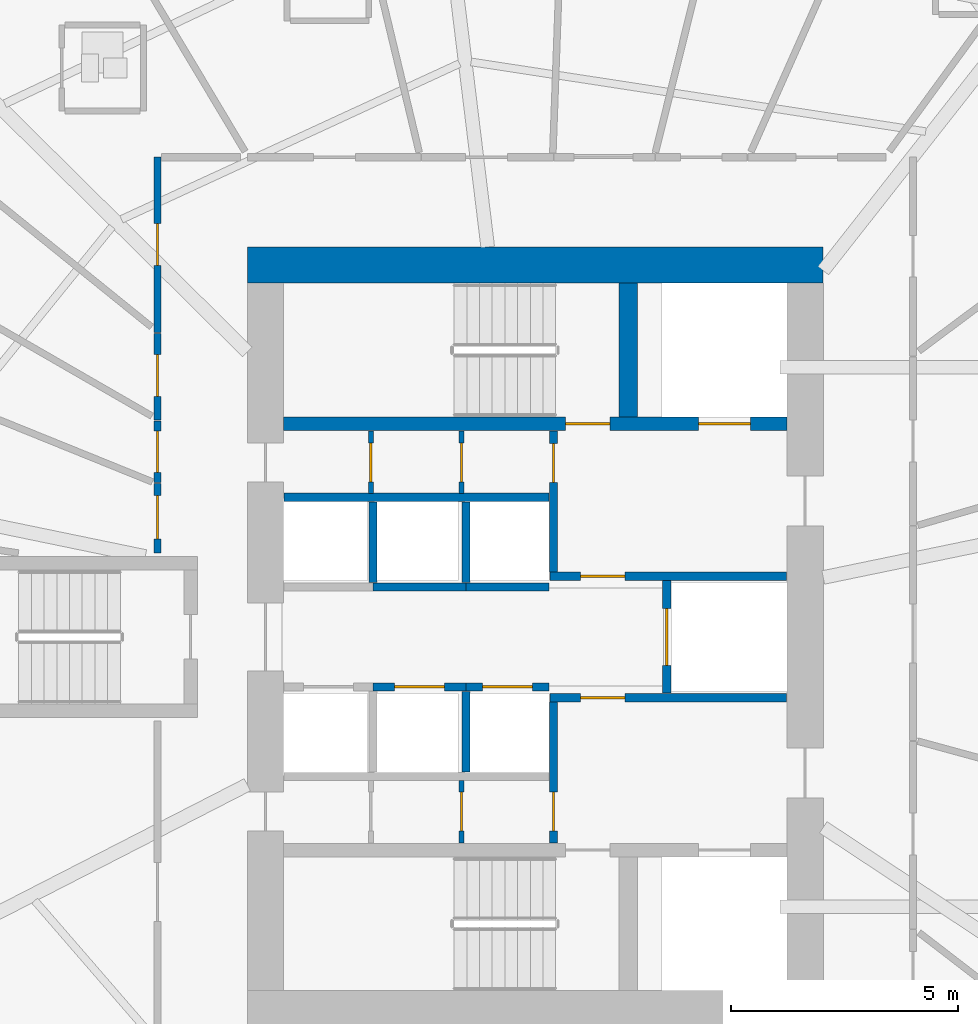
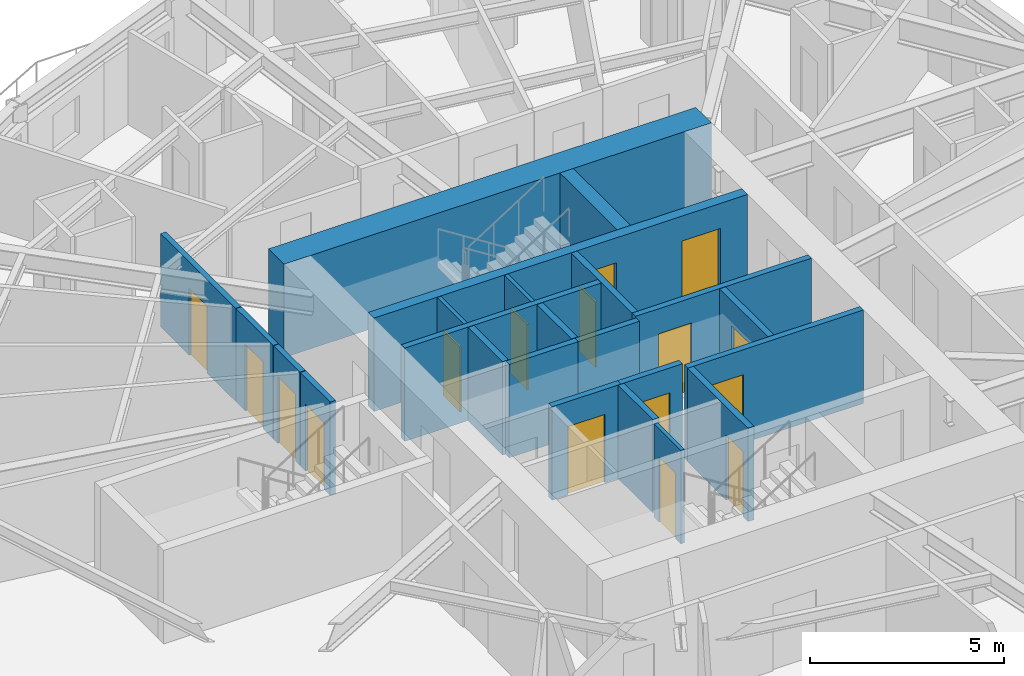
# One storey, part 6 of 16: 23 walls, 16 doors, 16 openings.
"""IFC4 building model written with IfcOpenShell, lengths in metres."""

from ifc_helpers import new_model, si_unit, direction, frame, frame_2d, origin, place, context, subcontext, project, spatial, rectangle, extrude, source, transform, mapped, material, layer, layer_set, type_object, element, fill, save


model = new_model("IFC4")

# Units and contexts
model_context = context("Model", 3, precision=1e-05, world=origin(), true_north=direction((0.0, 1.0)))
body_context = subcontext(model_context, "Body", "Model", "MODEL_VIEW")
ifc_project = project(units=[si_unit("LENGTHUNIT", "METRE"), si_unit("AREAUNIT", "SQUARE_METRE"), si_unit("VOLUMEUNIT", "CUBIC_METRE"), si_unit("PLANEANGLEUNIT", "RADIAN"), si_unit("MASSUNIT", "GRAM", prefix="KILO")], contexts=[model_context])

# Site, building, storey
site_placement = place(None, origin())
site = spatial("IfcSite", under=ifc_project, at=site_placement, CompositionType="ELEMENT")
building_placement = place(site_placement, origin())
building = spatial("IfcBuilding", under=site, at=building_placement, Name="Qafzar Sky-Pleat Residences", CompositionType="ELEMENT")
storey_placement = place(building_placement, frame((0.0, 0.0, 30.199951171875)))
storey = spatial("IfcBuildingStorey", under=building, at=storey_placement, Name="L08", CompositionType="ELEMENT", Elevation=30.199951171875)

# Wall, opening, door
ifc_material_1 = material(Name="Acoustic gypsum plasterboard partition", Category="gypsum")
ifc_layer_1 = layer(ifc_material_1, 0.159912109375)
ifc_layer_set_1 = layer_set([ifc_layer_1], Name="Acoustic gypsum plasterboard partition")
wall_type_1 = type_object("IfcWallType", Name="PART-COR-160", PredefinedType="PARTITIONING", material=ifc_layer_set_1)
wall_1_placement = place(storey_placement, frame((22.02001953125, 32.7099609375, 0.0), z_axis=(0.0, 0.0, 1.0), x_axis=(0.0, 1.0, 0.0)))
wall_1 = element("IfcWall", 1, at=wall_1_placement, inside=storey, type_object=wall_type_1, Name="L08 Partition Wall PART-L08-PW-007", PredefinedType="PARTITIONING", context=body_context, shape_type="SweptSolid", body=[
    extrude(rectangle(XDim=3.8701171875, YDim=0.159912109375, at=frame_2d((1.93505859375, 0.0))), origin(), (0.0, 0.0, 1.0), 2.93505859375),
])
opening_1_placement = place(wall_1_placement, frame((1.484619140625, 0.0, 0.0)))
opening_1 = element("IfcOpeningElement", 2, at=opening_1_placement, cuts=wall_1, Name="Opening ID-04", PredefinedType="OPENING", context=body_context, shape_type="SweptSolid", body=[
    extrude(rectangle(XDim=0.919921875, YDim=2.10009765625, at=frame_2d((0.4599609375, 1.050048828125))), frame((0.0, 0.08984375, 0.0), z_axis=(0.0, -1.0, 0.0), x_axis=(1.0, 0.0, 0.0)), (0.0, 0.0, 1.0), 0.179931640625),
])
ifc_material_2 = material(Name="Timber-faced fire door", Category="wood")
door_type_1 = type_object("IfcDoorType", Name="DR-BED-920", OperationType="NOTDEFINED", PredefinedType="DOOR", material=ifc_material_2)
shared_shape_1 = source(origin(), body_context, "Body", "SweptSolid", [
    extrude(rectangle(XDim=0.919921875, YDim=2.10009765625, at=frame_2d((0.4599609375, 1.050048828125))), frame((0.0, 0.02490234375, 0.0), z_axis=(0.0, -1.0, 0.0), x_axis=(1.0, 0.0, 0.0)), (0.0, 0.0, 1.0), 0.050048828125),
])
door_1_placement = place(opening_1_placement, origin())
door_1 = element("IfcDoor", 3, at=door_1_placement, inside=storey, type_object=door_type_1, Name="L08 Co-Living Bedroom 3 Door", OperationType="SINGLE_SWING_RIGHT", OverallHeight=2.10009765625, OverallWidth=0.919921875, PredefinedType="DOOR", context=body_context, shape_type="MappedRepresentation", body=[
    mapped(shared_shape_1, transform((0.0, 0.0, 0.0), x_axis=(1.0, 0.0, 0.0), y_axis=(0.0, 1.0, 0.0), z_axis=(0.0, 0.0, 1.0), scale=1.0)),
])
fill(opening_1, door_1)

wall_2_placement = place(storey_placement, frame((22.02001953125, 30.781982421875, 0.0), z_axis=(0.0, 0.0, 1.0), x_axis=(0.0, 1.0, 0.0)))
wall_2 = element("IfcWall", 4, at=wall_2_placement, inside=storey, type_object=wall_type_1, Name="L08 Partition Wall PART-L08-PW-019", PredefinedType="PARTITIONING", context=body_context, shape_type="SweptSolid", body=[
    extrude(rectangle(XDim=1.9130859375, YDim=0.159912109375, at=frame_2d((0.95654296875, 0.0))), origin(), (0.0, 0.0, 1.0), 2.93505859375),
])
opening_2_placement = place(wall_2_placement, frame((0.52197265625, 0.0, 0.0)))
opening_2 = element("IfcOpeningElement", 5, at=opening_2_placement, cuts=wall_2, Name="Opening ID-04", PredefinedType="OPENING", context=body_context, shape_type="SweptSolid", body=[
    extrude(rectangle(XDim=0.919921875, YDim=2.10009765625, at=frame_2d((0.4599609375, 1.050048828125))), frame((0.0, 0.08984375, 0.0), z_axis=(0.0, -1.0, 0.0), x_axis=(1.0, 0.0, 0.0)), (0.0, 0.0, 1.0), 0.179931640625),
])
door_2_placement = place(opening_2_placement, origin())
door_2 = element("IfcDoor", 6, at=door_2_placement, inside=storey, type_object=door_type_1, Name="L08 Co-Living Bedroom 5 Door", OperationType="SINGLE_SWING_LEFT", OverallHeight=2.10009765625, OverallWidth=0.919921875, PredefinedType="DOOR", context=body_context, shape_type="MappedRepresentation", body=[
    mapped(shared_shape_1, transform((0.0, 0.0, 0.0), x_axis=(1.0, 0.0, 0.0), y_axis=(0.0, 1.0, 0.0), z_axis=(0.0, 0.0, 1.0), scale=1.0)),
])
fill(opening_2, door_2)

wall_3_placement = place(storey_placement, frame((22.02001953125, 27.85009765625, 0.0), z_axis=(0.0, 0.0, 1.0), x_axis=(0.0, 1.0, 0.0)))
wall_3 = element("IfcWall", 7, at=wall_3_placement, inside=storey, type_object=wall_type_1, Name="L08 Partition Wall PART-L08-PW-031", PredefinedType="PARTITIONING", context=body_context, shape_type="SweptSolid", body=[
    extrude(rectangle(XDim=1.538818359375, YDim=0.159912109375, at=frame_2d((0.76953125, 0.0))), origin(), (0.0, 0.0, 1.0), 2.93505859375),
])
opening_3_placement = place(wall_3_placement, frame((0.31103515625, 0.0, 0.0)))
opening_3 = element("IfcOpeningElement", 8, at=opening_3_placement, cuts=wall_3, Name="Opening ID-06", PredefinedType="OPENING", context=body_context, shape_type="SweptSolid", body=[
    extrude(rectangle(XDim=0.9599609375, YDim=2.10009765625, at=frame_2d((0.47998046875, 1.050048828125))), frame((0.0, 0.08984375, 0.0), z_axis=(0.0, -1.0, 0.0), x_axis=(1.0, 0.0, 0.0)), (0.0, 0.0, 1.0), 0.179931640625),
])
door_type_2 = type_object("IfcDoorType", Name="DR-STD-960", OperationType="NOTDEFINED", PredefinedType="DOOR", material=ifc_material_2)
shared_shape_2 = source(origin(), body_context, "Body", "SweptSolid", [
    extrude(rectangle(XDim=0.9599609375, YDim=2.10009765625, at=frame_2d((0.47998046875, 1.050048828125))), frame((0.0, 0.02490234375, 0.0), z_axis=(0.0, -1.0, 0.0), x_axis=(1.0, 0.0, 0.0)), (0.0, 0.0, 1.0), 0.050048828125),
])
door_3_placement = place(opening_3_placement, origin())
door_3 = element("IfcDoor", 9, at=door_3_placement, inside=storey, type_object=door_type_2, Name="L08 Graduate Lecture Room Door", OperationType="SINGLE_SWING_LEFT", OverallHeight=2.10009765625, OverallWidth=0.9599609375, PredefinedType="DOOR", context=body_context, shape_type="MappedRepresentation", body=[
    mapped(shared_shape_2, transform((0.0, 0.0, 0.0), x_axis=(1.0, 0.0, 0.0), y_axis=(0.0, 1.0, 0.0), z_axis=(0.0, 0.0, 1.0), scale=1.0)),
])
fill(opening_3, door_3)

wall_4_placement = place(storey_placement, frame((22.02001953125, 29.404052734375, 0.0), z_axis=(0.0, 0.0, 1.0), x_axis=(0.0, 1.0, 0.0)))
wall_4 = element("IfcWall", 10, at=wall_4_placement, inside=storey, type_object=wall_type_1, Name="L08 Partition Wall PART-L08-PW-032", PredefinedType="PARTITIONING", context=body_context, shape_type="SweptSolid", body=[
    extrude(rectangle(XDim=1.363037109375, YDim=0.159912109375, at=frame_2d((0.681640625, 0.0))), origin(), (0.0, 0.0, 1.0), 2.93505859375),
])
opening_4_placement = place(wall_4_placement, frame((0.221923828125, 0.0, 0.0)))
opening_4 = element("IfcOpeningElement", 11, at=opening_4_placement, cuts=wall_4, Name="Opening ID-04", PredefinedType="OPENING", context=body_context, shape_type="SweptSolid", body=[
    extrude(rectangle(XDim=0.919921875, YDim=2.10009765625, at=frame_2d((0.4599609375, 1.050048828125))), frame((0.0, 0.08984375, 0.0), z_axis=(0.0, -1.0, 0.0), x_axis=(1.0, 0.0, 0.0)), (0.0, 0.0, 1.0), 0.179931640625),
])
door_4_placement = place(opening_4_placement, origin())
door_4 = element("IfcDoor", 12, at=door_4_placement, inside=storey, type_object=door_type_1, Name="L08 Co-Living Bedroom 4 Door", OperationType="SINGLE_SWING_RIGHT", OverallHeight=2.10009765625, OverallWidth=0.919921875, PredefinedType="DOOR", context=body_context, shape_type="MappedRepresentation", body=[
    mapped(shared_shape_1, transform((0.0, 0.0, 0.0), x_axis=(1.0, 0.0, 0.0), y_axis=(0.0, 1.0, 0.0), z_axis=(0.0, 0.0, 1.0), scale=1.0)),
])
fill(opening_4, door_4)

ifc_material_3 = material(Name="Concrete blockwork partition", Category="masonry")
ifc_layer_2 = layer(ifc_material_3, 0.179931640625)
ifc_layer_set_2 = layer_set([ifc_layer_2], Name="Concrete blockwork partition")
wall_type_2 = type_object("IfcWallType", Name="PART-SHAFT-180", PredefinedType="PARTITIONING", material=ifc_layer_set_2)
wall_5_placement = place(storey_placement, frame((30.75, 21.4599609375, 0.0), z_axis=(0.0, 0.0, 1.0), x_axis=(0.0, 1.0, 0.0)))
wall_5 = element("IfcWall", 13, at=wall_5_placement, inside=storey, type_object=wall_type_2, Name="L08 Partition Wall PART-L08-FFL1-W", PredefinedType="PARTITIONING", context=body_context, shape_type="SweptSolid", body=[
    extrude(rectangle(XDim=3.110107421875, YDim=0.179931640625, at=frame_2d((1.55517578125, 0.0))), origin(), (0.0, 0.0, 1.0), 2.93505859375),
])
opening_5_placement = place(wall_5_placement, frame((0.260009765625, 0.0, 0.0)))
opening_5 = element("IfcOpeningElement", 14, at=opening_5_placement, cuts=wall_5, Name="Opening ID-09", PredefinedType="OPENING", context=body_context, shape_type="SweptSolid", body=[
    extrude(rectangle(XDim=0.860107421875, YDim=2.050048828125, at=frame_2d((0.43017578125, 1.02490234375))), frame((0.0, 0.10009765625, 0.0), z_axis=(0.0, -1.0, 0.0), x_axis=(1.0, 0.0, 0.0)), (0.0, 0.0, 1.0), 0.199951171875),
])
door_type_3 = type_object("IfcDoorType", Name="DR-SVC-860", OperationType="NOTDEFINED", PredefinedType="DOOR", material=ifc_material_2)
shared_shape_3 = source(origin(), body_context, "Body", "SweptSolid", [
    extrude(rectangle(XDim=0.860107421875, YDim=2.050048828125, at=frame_2d((0.43017578125, 1.02490234375))), frame((0.0, 0.02490234375, 0.0), z_axis=(0.0, -1.0, 0.0), x_axis=(1.0, 0.0, 0.0)), (0.0, 0.0, 1.0), 0.050048828125),
])
door_5_placement = place(opening_5_placement, origin())
door_5 = element("IfcDoor", 15, at=door_5_placement, inside=storey, type_object=door_type_3, Name="L08 South Core Cupboard Door", OperationType="SINGLE_SWING_RIGHT", OverallHeight=2.050048828125, OverallWidth=0.860107421875, PredefinedType="DOOR", context=body_context, shape_type="MappedRepresentation", body=[
    mapped(shared_shape_3, transform((0.0, 0.0, 0.0), x_axis=(1.0, 0.0, 0.0), y_axis=(0.0, 1.0, 0.0), z_axis=(0.0, 0.0, 1.0), scale=1.0)),
])
fill(opening_5, door_5)

wall_6_placement = place(storey_placement, frame((30.669921875, 24.659912109375, 0.0), z_axis=(0.0, 0.0, 1.0), x_axis=(1.0, 0.0, 0.0)))
wall_6 = element("IfcWall", 16, at=wall_6_placement, inside=storey, type_object=wall_type_2, Name="L08 Partition Wall PART-L08-FFL1-N", PredefinedType="PARTITIONING", context=body_context, shape_type="SweptSolid", body=[
    extrude(rectangle(XDim=5.219970703125, YDim=0.179931640625, at=frame_2d((2.60986328125, 0.0))), origin(), (0.0, 0.0, 1.0), 2.93505859375),
])
opening_6_placement = place(wall_6_placement, frame((0.679931640625, 0.0, 0.0)))
opening_6 = element("IfcOpeningElement", 17, at=opening_6_placement, cuts=wall_6, Name="Opening ID-01", PredefinedType="OPENING", context=body_context, shape_type="SweptSolid", body=[
    extrude(rectangle(XDim=0.97998046875, YDim=2.14990234375, at=frame_2d((0.489990234375, 1.074951171875))), frame((0.0, 0.10009765625, 0.0), z_axis=(0.0, -1.0, 0.0), x_axis=(1.0, 0.0, 0.0)), (0.0, 0.0, 1.0), 0.199951171875),
])
door_type_4 = type_object("IfcDoorType", Name="DR-STAIR-980", OperationType="NOTDEFINED", PredefinedType="DOOR", material=ifc_material_2)
shared_shape_4 = source(origin(), body_context, "Body", "SweptSolid", [
    extrude(rectangle(XDim=0.97998046875, YDim=2.14990234375, at=frame_2d((0.489990234375, 1.074951171875))), frame((0.0, 0.02490234375, 0.0), z_axis=(0.0, -1.0, 0.0), x_axis=(1.0, 0.0, 0.0)), (0.0, 0.0, 1.0), 0.050048828125),
])
door_6_placement = place(opening_6_placement, origin())
door_6 = element("IfcDoor", 18, at=door_6_placement, inside=storey, type_object=door_type_4, Name="L08 Lift Lobby to South Firefighting Lobby Door", OperationType="SINGLE_SWING_LEFT", OverallHeight=2.14990234375, OverallWidth=0.97998046875, PredefinedType="DOOR", context=body_context, shape_type="MappedRepresentation", body=[
    mapped(shared_shape_4, transform((0.0, 0.0, 0.0), x_axis=(1.0, 0.0, 0.0), y_axis=(0.0, 1.0, 0.0), z_axis=(0.0, 0.0, 1.0), scale=1.0)),
])
fill(opening_6, door_6)

wall_7_placement = place(storey_placement, frame((30.75, 27.429931640625, 0.0), z_axis=(0.0, 0.0, 1.0), x_axis=(0.0, 1.0, 0.0)))
wall_7 = element("IfcWall", 19, at=wall_7_placement, inside=storey, type_object=wall_type_2, Name="L08 Partition Wall PART-L08-FFL2-W", PredefinedType="PARTITIONING", context=body_context, shape_type="SweptSolid", body=[
    extrude(rectangle(XDim=3.110107421875, YDim=0.179931640625, at=frame_2d((1.55517578125, 0.0))), origin(), (0.0, 0.0, 1.0), 2.93505859375),
])
opening_7_placement = place(wall_7_placement, frame((1.97998046875, 0.0, 0.0)))
opening_7 = element("IfcOpeningElement", 20, at=opening_7_placement, cuts=wall_7, Name="Opening ID-09", PredefinedType="OPENING", context=body_context, shape_type="SweptSolid", body=[
    extrude(rectangle(XDim=0.860107421875, YDim=2.050048828125, at=frame_2d((0.43017578125, 1.02490234375))), frame((0.0, 0.10009765625, 0.0), z_axis=(0.0, -1.0, 0.0), x_axis=(1.0, 0.0, 0.0)), (0.0, 0.0, 1.0), 0.199951171875),
])
door_7_placement = place(opening_7_placement, origin())
door_7 = element("IfcDoor", 21, at=door_7_placement, inside=storey, type_object=door_type_3, Name="L08 North Core Cupboard Door", OperationType="SINGLE_SWING_RIGHT", OverallHeight=2.050048828125, OverallWidth=0.860107421875, PredefinedType="DOOR", context=body_context, shape_type="MappedRepresentation", body=[
    mapped(shared_shape_3, transform((0.0, 0.0, 0.0), x_axis=(1.0, 0.0, 0.0), y_axis=(0.0, 1.0, 0.0), z_axis=(0.0, 0.0, 1.0), scale=1.0)),
])
fill(opening_7, door_7)

wall_8_placement = place(storey_placement, frame((30.669921875, 27.340087890625, 0.0), z_axis=(0.0, 0.0, 1.0), x_axis=(1.0, 0.0, 0.0)))
wall_8 = element("IfcWall", 22, at=wall_8_placement, inside=storey, type_object=wall_type_2, Name="L08 Partition Wall PART-L08-FFL2-S", PredefinedType="PARTITIONING", context=body_context, shape_type="SweptSolid", body=[
    extrude(rectangle(XDim=5.219970703125, YDim=0.179931640625, at=frame_2d((2.60986328125, 0.0))), origin(), (0.0, 0.0, 1.0), 2.93505859375),
])
opening_8_placement = place(wall_8_placement, frame((0.679931640625, 0.0, 0.0)))
opening_8 = element("IfcOpeningElement", 23, at=opening_8_placement, cuts=wall_8, Name="Opening ID-01", PredefinedType="OPENING", context=body_context, shape_type="SweptSolid", body=[
    extrude(rectangle(XDim=0.97998046875, YDim=2.14990234375, at=frame_2d((0.489990234375, 1.074951171875))), frame((0.0, 0.10009765625, 0.0), z_axis=(0.0, -1.0, 0.0), x_axis=(1.0, 0.0, 0.0)), (0.0, 0.0, 1.0), 0.199951171875),
])
door_8_placement = place(opening_8_placement, origin())
door_8 = element("IfcDoor", 24, at=door_8_placement, inside=storey, type_object=door_type_4, Name="L08 Lift Lobby to North Firefighting Lobby Door", OperationType="SINGLE_SWING_LEFT", OverallHeight=2.14990234375, OverallWidth=0.97998046875, PredefinedType="DOOR", context=body_context, shape_type="MappedRepresentation", body=[
    mapped(shared_shape_4, transform((0.0, 0.0, 0.0), x_axis=(1.0, 0.0, 0.0), y_axis=(0.0, 1.0, 0.0), z_axis=(0.0, 0.0, 1.0), scale=1.0)),
])
fill(opening_8, door_8)

wall_9_placement = place(storey_placement, frame((33.25, 24.760009765625, 0.0), z_axis=(0.0, 0.0, 1.0), x_axis=(0.0, 1.0, 0.0)))
wall_9 = element("IfcWall", 25, at=wall_9_placement, inside=storey, type_object=wall_type_2, Name="L08 Partition Wall PART-L08-SV1-W", PredefinedType="PARTITIONING", context=body_context, shape_type="SweptSolid", body=[
    extrude(rectangle(XDim=2.47998046875, YDim=0.179931640625, at=frame_2d((1.239990234375, 0.0))), origin(), (0.0, 0.0, 1.0), 2.93505859375),
])
opening_9_placement = place(wall_9_placement, frame((0.614990234375, 0.0, 0.0)))
opening_9 = element("IfcOpeningElement", 26, at=opening_9_placement, cuts=wall_9, Name="Opening LD-03", PredefinedType="OPENING", context=body_context, shape_type="SweptSolid", body=[
    extrude(rectangle(XDim=1.25, YDim=2.14990234375, at=frame_2d((0.625, 1.074951171875))), frame((0.0, 0.10009765625, 0.0), z_axis=(0.0, -1.0, 0.0), x_axis=(1.0, 0.0, 0.0)), (0.0, 0.0, 1.0), 0.199951171875),
])
ifc_material_4 = material(Name="Stainless steel sliding landing door", Category="steel")
door_type_5 = type_object("IfcDoorType", Name="DR-LIFT-SV", OperationType="DOUBLE_DOOR_SLIDING", PredefinedType="DOOR", material=ifc_material_4)
shared_shape_5 = source(origin(), body_context, "Body", "SweptSolid", [
    extrude(rectangle(XDim=1.25, YDim=2.14990234375, at=frame_2d((0.625, 1.074951171875))), frame((0.0, 0.02490234375, 0.0), z_axis=(0.0, -1.0, 0.0), x_axis=(1.0, 0.0, 0.0)), (0.0, 0.0, 1.0), 0.050048828125),
])
door_9_placement = place(opening_9_placement, origin())
door_9 = element("IfcDoor", 27, at=door_9_placement, inside=storey, type_object=door_type_5, Name="L08 Service Lift SV1 Landing Door", OperationType="DOUBLE_DOOR_SLIDING", OverallHeight=2.14990234375, OverallWidth=1.25, PredefinedType="DOOR", context=body_context, shape_type="MappedRepresentation", body=[
    mapped(shared_shape_5, transform((0.0, 0.0, 0.0), x_axis=(1.0, 0.0, 0.0), y_axis=(0.0, 1.0, 0.0), z_axis=(0.0, 0.0, 1.0), scale=1.0)),
])
fill(opening_9, door_9)

wall_10_placement = place(storey_placement, frame((26.77490234375, 24.89990234375, 0.0), z_axis=(0.0, 0.0, 1.0), x_axis=(1.0, 0.0, 0.0)))
wall_10 = element("IfcWall", 28, at=wall_10_placement, inside=storey, type_object=wall_type_2, Name="L08 Partition Wall PART-L08-P2-N", PredefinedType="PARTITIONING", context=body_context, shape_type="SweptSolid", body=[
    extrude(rectangle(XDim=2.050048828125, YDim=0.179931640625, at=frame_2d((1.02490234375, 0.0))), origin(), (0.0, 0.0, 1.0), 2.93505859375),
])
opening_10_placement = place(wall_10_placement, frame((0.47509765625, 0.0, 0.0)))
opening_10 = element("IfcOpeningElement", 29, at=opening_10_placement, cuts=wall_10, Name="Opening LD-01", PredefinedType="OPENING", context=body_context, shape_type="SweptSolid", body=[
    extrude(rectangle(XDim=1.10009765625, YDim=2.14990234375, at=frame_2d((0.550048828125, 1.074951171875))), frame((0.0, 0.10009765625, 0.0), z_axis=(0.0, -1.0, 0.0), x_axis=(1.0, 0.0, 0.0)), (0.0, 0.0, 1.0), 0.199951171875),
])
door_type_6 = type_object("IfcDoorType", Name="DR-LIFT-P", OperationType="DOUBLE_DOOR_SLIDING", PredefinedType="DOOR", material=ifc_material_4)
shared_shape_6 = source(origin(), body_context, "Body", "SweptSolid", [
    extrude(rectangle(XDim=1.10009765625, YDim=2.14990234375, at=frame_2d((0.550048828125, 1.074951171875))), frame((0.0, 0.02490234375, 0.0), z_axis=(0.0, -1.0, 0.0), x_axis=(1.0, 0.0, 0.0)), (0.0, 0.0, 1.0), 0.050048828125),
])
door_10_placement = place(opening_10_placement, origin())
door_10 = element("IfcDoor", 30, at=door_10_placement, inside=storey, type_object=door_type_6, Name="L08 Passenger Lift P2 Landing Door", OperationType="DOUBLE_DOOR_SLIDING", OverallHeight=2.14990234375, OverallWidth=1.10009765625, PredefinedType="DOOR", context=body_context, shape_type="MappedRepresentation", body=[
    mapped(shared_shape_6, transform((0.0, 0.0, 0.0), x_axis=(1.0, 0.0, 0.0), y_axis=(0.0, 1.0, 0.0), z_axis=(0.0, 0.0, 1.0), scale=1.0)),
])
fill(opening_10, door_10)

wall_11_placement = place(storey_placement, frame((28.824951171875, 24.89990234375, 0.0), z_axis=(0.0, 0.0, 1.0), x_axis=(1.0, 0.0, 0.0)))
wall_11 = element("IfcWall", 31, at=wall_11_placement, inside=storey, type_object=wall_type_2, Name="L08 Partition Wall PART-L08-P3-N", PredefinedType="PARTITIONING", context=body_context, shape_type="SweptSolid", body=[
    extrude(rectangle(XDim=1.824951171875, YDim=0.179931640625, at=frame_2d((0.91259765625, 0.0))), origin(), (0.0, 0.0, 1.0), 2.93505859375),
])
opening_11_placement = place(wall_11_placement, frame((0.362548828125, 0.0, 0.0)))
opening_11 = element("IfcOpeningElement", 32, at=opening_11_placement, cuts=wall_11, Name="Opening LD-01", PredefinedType="OPENING", context=body_context, shape_type="SweptSolid", body=[
    extrude(rectangle(XDim=1.10009765625, YDim=2.14990234375, at=frame_2d((0.550048828125, 1.074951171875))), frame((0.0, 0.10009765625, 0.0), z_axis=(0.0, -1.0, 0.0), x_axis=(1.0, 0.0, 0.0)), (0.0, 0.0, 1.0), 0.199951171875),
])
door_11_placement = place(opening_11_placement, origin())
door_11 = element("IfcDoor", 33, at=door_11_placement, inside=storey, type_object=door_type_6, Name="L08 Passenger Lift P3 Landing Door", OperationType="DOUBLE_DOOR_SLIDING", OverallHeight=2.14990234375, OverallWidth=1.10009765625, PredefinedType="DOOR", context=body_context, shape_type="MappedRepresentation", body=[
    mapped(shared_shape_6, transform((0.0, 0.0, 0.0), x_axis=(1.0, 0.0, 0.0), y_axis=(0.0, 1.0, 0.0), z_axis=(0.0, 0.0, 1.0), scale=1.0)),
])
fill(opening_11, door_11)

# Walls
wall_12_placement = place(storey_placement, frame((28.824951171875, 23.02001953125, 0.0), z_axis=(0.0, 0.0, 1.0), x_axis=(0.0, 1.0, 0.0)))
element("IfcWall", 34, at=wall_12_placement, inside=storey, type_object=wall_type_2, Name="L08 Partition Wall PART-L08-P13-DIV-2", PredefinedType="PARTITIONING", context=body_context, shape_type="SweptSolid", body=[
    extrude(rectangle(XDim=1.780029296875, YDim=0.179931640625, at=frame_2d((0.89013671875, 0.0))), origin(), (0.0, 0.0, 1.0), 2.93505859375),
])
wall_13_placement = place(storey_placement, frame((24.81005859375, 29.080078125, 0.0), z_axis=(0.0, 0.0, 1.0), x_axis=(1.0, 0.0, 0.0)))
element("IfcWall", 35, at=wall_13_placement, inside=storey, type_object=wall_type_2, Name="L08 Partition Wall PART-L08-P46-N", PredefinedType="PARTITIONING", context=body_context, shape_type="SweptSolid", body=[
    extrude(rectangle(XDim=5.83984375, YDim=0.179931640625, at=frame_2d((2.919921875, 0.0))), origin(), (0.0, 0.0, 1.0), 2.93505859375),
])
wall_14_placement = place(storey_placement, frame((26.77490234375, 27.10009765625, 0.0), z_axis=(0.0, 0.0, 1.0), x_axis=(1.0, 0.0, 0.0)))
element("IfcWall", 36, at=wall_14_placement, inside=storey, type_object=wall_type_2, Name="L08 Partition Wall PART-L08-P5-S", PredefinedType="PARTITIONING", context=body_context, shape_type="SweptSolid", body=[
    extrude(rectangle(XDim=2.050048828125, YDim=0.179931640625, at=frame_2d((1.02490234375, 0.0))), origin(), (0.0, 0.0, 1.0), 2.93505859375),
])
wall_15_placement = place(storey_placement, frame((26.77490234375, 27.199951171875, 0.0), z_axis=(0.0, 0.0, 1.0), x_axis=(0.0, 1.0, 0.0)))
element("IfcWall", 37, at=wall_15_placement, inside=storey, type_object=wall_type_2, Name="L08 Partition Wall PART-L08-P46-DIV-1", PredefinedType="PARTITIONING", context=body_context, shape_type="SweptSolid", body=[
    extrude(rectangle(XDim=1.780029296875, YDim=0.179931640625, at=frame_2d((0.89013671875, 0.0))), origin(), (0.0, 0.0, 1.0), 2.93505859375),
])
wall_16_placement = place(storey_placement, frame((28.824951171875, 27.10009765625, 0.0), z_axis=(0.0, 0.0, 1.0), x_axis=(1.0, 0.0, 0.0)))
element("IfcWall", 38, at=wall_16_placement, inside=storey, type_object=wall_type_2, Name="L08 Partition Wall PART-L08-P6-S", PredefinedType="PARTITIONING", context=body_context, shape_type="SweptSolid", body=[
    extrude(rectangle(XDim=1.824951171875, YDim=0.179931640625, at=frame_2d((0.91259765625, 0.0))), origin(), (0.0, 0.0, 1.0), 2.93505859375),
])
wall_17_placement = place(storey_placement, frame((28.824951171875, 27.199951171875, 0.0), z_axis=(0.0, 0.0, 1.0), x_axis=(0.0, 1.0, 0.0)))
element("IfcWall", 39, at=wall_17_placement, inside=storey, type_object=wall_type_2, Name="L08 Partition Wall PART-L08-P46-DIV-2", PredefinedType="PARTITIONING", context=body_context, shape_type="SweptSolid", body=[
    extrude(rectangle(XDim=1.780029296875, YDim=0.179931640625, at=frame_2d((0.89013671875, 0.0))), origin(), (0.0, 0.0, 1.0), 2.93505859375),
])

# Wall, opening, door
ifc_material_5 = material(Name="Gypsum plasterboard partition", Category="gypsum")
ifc_layer_3 = layer(ifc_material_5, 0.114990234375)
ifc_layer_set_3 = layer_set([ifc_layer_3], Name="Gypsum plasterboard partition")
wall_type_3 = type_object("IfcWallType", Name="PART-SVC-115", PredefinedType="PARTITIONING", material=ifc_layer_set_3)
wall_18_placement = place(storey_placement, frame((26.72509765625, 29.159912109375, 0.0), z_axis=(0.0, 0.0, 1.0), x_axis=(0.0, 1.0, 0.0)))
wall_18 = element("IfcWall", 40, at=wall_18_placement, inside=storey, type_object=wall_type_3, Name="L08 Partition Wall PART-L08-KC-NW-1", PredefinedType="PARTITIONING", context=body_context, shape_type="SweptSolid", body=[
    extrude(rectangle(XDim=1.380126953125, YDim=0.114990234375, at=frame_2d((0.68994140625, 0.0))), origin(), (0.0, 0.0, 1.0), 2.93505859375),
])
opening_12_placement = place(wall_18_placement, frame((0.260009765625, 0.0, 0.0)))
opening_12 = element("IfcOpeningElement", 41, at=opening_12_placement, cuts=wall_18, Name="Opening ID-09", PredefinedType="OPENING", context=body_context, shape_type="SweptSolid", body=[
    extrude(rectangle(XDim=0.860107421875, YDim=2.050048828125, at=frame_2d((0.43017578125, 1.02490234375))), frame((0.0, 0.0673828125, 0.0), z_axis=(0.0, -1.0, 0.0), x_axis=(1.0, 0.0, 0.0)), (0.0, 0.0, 1.0), 0.135009765625),
])
door_12_placement = place(opening_12_placement, origin())
door_12 = element("IfcDoor", 42, at=door_12_placement, inside=storey, type_object=door_type_3, Name="L08 Core North Cupboard 1 Door", OperationType="SINGLE_SWING_LEFT", OverallHeight=2.050048828125, OverallWidth=0.860107421875, PredefinedType="DOOR", context=body_context, shape_type="MappedRepresentation", body=[
    mapped(shared_shape_3, transform((0.0, 0.0, 0.0), x_axis=(1.0, 0.0, 0.0), y_axis=(0.0, 1.0, 0.0), z_axis=(0.0, 0.0, 1.0), scale=1.0)),
])
fill(opening_12, door_12)

wall_19_placement = place(storey_placement, frame((28.72509765625, 21.4599609375, 0.0), z_axis=(0.0, 0.0, 1.0), x_axis=(0.0, 1.0, 0.0)))
wall_19 = element("IfcWall", 43, at=wall_19_placement, inside=storey, type_object=wall_type_3, Name="L08 Partition Wall PART-L08-KC-SW-2", PredefinedType="PARTITIONING", context=body_context, shape_type="SweptSolid", body=[
    extrude(rectangle(XDim=1.380126953125, YDim=0.114990234375, at=frame_2d((0.68994140625, 0.0))), origin(), (0.0, 0.0, 1.0), 2.93505859375),
])
opening_13_placement = place(wall_19_placement, frame((0.260009765625, 0.0, 0.0)))
opening_13 = element("IfcOpeningElement", 44, at=opening_13_placement, cuts=wall_19, Name="Opening ID-09", PredefinedType="OPENING", context=body_context, shape_type="SweptSolid", body=[
    extrude(rectangle(XDim=0.860107421875, YDim=2.050048828125, at=frame_2d((0.43017578125, 1.02490234375))), frame((0.0, 0.0673828125, 0.0), z_axis=(0.0, -1.0, 0.0), x_axis=(1.0, 0.0, 0.0)), (0.0, 0.0, 1.0), 0.135009765625),
])
door_13_placement = place(opening_13_placement, origin())
door_13 = element("IfcDoor", 45, at=door_13_placement, inside=storey, type_object=door_type_3, Name="L08 Core South Cupboard 2 Door", OperationType="SINGLE_SWING_RIGHT", OverallHeight=2.050048828125, OverallWidth=0.860107421875, PredefinedType="DOOR", context=body_context, shape_type="MappedRepresentation", body=[
    mapped(shared_shape_3, transform((0.0, 0.0, 0.0), x_axis=(1.0, 0.0, 0.0), y_axis=(0.0, 1.0, 0.0), z_axis=(0.0, 0.0, 1.0), scale=1.0)),
])
fill(opening_13, door_13)

wall_20_placement = place(storey_placement, frame((28.72509765625, 29.159912109375, 0.0), z_axis=(0.0, 0.0, 1.0), x_axis=(0.0, 1.0, 0.0)))
wall_20 = element("IfcWall", 46, at=wall_20_placement, inside=storey, type_object=wall_type_3, Name="L08 Partition Wall PART-L08-KC-NW-2", PredefinedType="PARTITIONING", context=body_context, shape_type="SweptSolid", body=[
    extrude(rectangle(XDim=1.380126953125, YDim=0.114990234375, at=frame_2d((0.68994140625, 0.0))), origin(), (0.0, 0.0, 1.0), 2.93505859375),
])
opening_14_placement = place(wall_20_placement, frame((0.260009765625, 0.0, 0.0)))
opening_14 = element("IfcOpeningElement", 47, at=opening_14_placement, cuts=wall_20, Name="Opening ID-09", PredefinedType="OPENING", context=body_context, shape_type="SweptSolid", body=[
    extrude(rectangle(XDim=0.860107421875, YDim=2.050048828125, at=frame_2d((0.43017578125, 1.02490234375))), frame((0.0, 0.0673828125, 0.0), z_axis=(0.0, -1.0, 0.0), x_axis=(1.0, 0.0, 0.0)), (0.0, 0.0, 1.0), 0.135009765625),
])
door_14_placement = place(opening_14_placement, origin())
door_14 = element("IfcDoor", 48, at=door_14_placement, inside=storey, type_object=door_type_3, Name="L08 Core North Cupboard 2 Door", OperationType="SINGLE_SWING_LEFT", OverallHeight=2.050048828125, OverallWidth=0.860107421875, PredefinedType="DOOR", context=body_context, shape_type="MappedRepresentation", body=[
    mapped(shared_shape_3, transform((0.0, 0.0, 0.0), x_axis=(1.0, 0.0, 0.0), y_axis=(0.0, 1.0, 0.0), z_axis=(0.0, 0.0, 1.0), scale=1.0)),
])
fill(opening_14, door_14)

# Wall, openings, doors
ifc_material_6 = material(Name="Concrete C60/75", Category="concrete")
ifc_layer_4 = layer(ifc_material_6, 0.300048828125)
ifc_layer_set_4 = layer_set([ifc_layer_4], Name="Concrete C60/75")
wall_type_4 = type_object("IfcWallType", Name="WALL-SHEAR-300", PredefinedType="SHEAR", material=ifc_layer_set_4)
wall_21_placement = place(storey_placement, frame((24.800048828125, 30.699951171875, 0.0), z_axis=(0.0, 0.0, 1.0), x_axis=(1.0, 0.0, 0.0)))
wall_21 = element("IfcWall", 49, at=wall_21_placement, inside=storey, type_object=wall_type_4, Name="L08 Stair ST2 and FF2 Shaft South Wall", PredefinedType="SHEAR", context=body_context, shape_type="SweptSolid", body=[
    extrude(rectangle(XDim=11.099853515625, YDim=0.300048828125, at=frame_2d((5.5498046875, 0.0))), origin(), (0.0, 0.0, 1.0), 2.93505859375),
])
opening_15_placement = place(wall_21_placement, frame((6.219970703125, 0.0, 0.0)))
opening_15 = element("IfcOpeningElement", 50, at=opening_15_placement, cuts=wall_21, Name="Opening ID-01", PredefinedType="OPENING", context=body_context, shape_type="SweptSolid", body=[
    extrude(rectangle(XDim=0.97998046875, YDim=2.14990234375, at=frame_2d((0.489990234375, 1.074951171875))), frame((0.0, 0.16015625, 0.0), z_axis=(0.0, -1.0, 0.0), x_axis=(1.0, 0.0, 0.0)), (0.0, 0.0, 1.0), 0.320068359375),
])
opening_16_placement = place(wall_21_placement, frame((9.14990234375, 0.0, 0.0)))
opening_16 = element("IfcOpeningElement", 51, at=opening_16_placement, cuts=wall_21, Name="Opening LD-02", PredefinedType="OPENING", context=body_context, shape_type="SweptSolid", body=[
    extrude(rectangle(XDim=1.14990234375, YDim=2.14990234375, at=frame_2d((0.574951171875, 1.074951171875))), frame((0.0, 0.16015625, 0.0), z_axis=(0.0, -1.0, 0.0), x_axis=(1.0, 0.0, 0.0)), (0.0, 0.0, 1.0), 0.320068359375),
])
door_15_placement = place(opening_15_placement, origin())
door_15 = element("IfcDoor", 52, at=door_15_placement, inside=storey, type_object=door_type_4, Name="L08 Stair ST2 Fire Door", OperationType="SINGLE_SWING_RIGHT", OverallHeight=2.14990234375, OverallWidth=0.97998046875, PredefinedType="DOOR", context=body_context, shape_type="MappedRepresentation", body=[
    mapped(shared_shape_4, transform((0.0, 0.0, 0.0), x_axis=(1.0, 0.0, 0.0), y_axis=(0.0, 1.0, 0.0), z_axis=(0.0, 0.0, 1.0), scale=1.0)),
])
fill(opening_15, door_15)
door_type_7 = type_object("IfcDoorType", Name="DR-LIFT-FF", OperationType="DOUBLE_DOOR_SLIDING", PredefinedType="DOOR", material=ifc_material_4)
shared_shape_7 = source(origin(), body_context, "Body", "SweptSolid", [
    extrude(rectangle(XDim=1.14990234375, YDim=2.14990234375, at=frame_2d((0.574951171875, 1.074951171875))), frame((0.0, 0.02490234375, 0.0), z_axis=(0.0, -1.0, 0.0), x_axis=(1.0, 0.0, 0.0)), (0.0, 0.0, 1.0), 0.050048828125),
])
door_16_placement = place(opening_16_placement, origin())
door_16 = element("IfcDoor", 53, at=door_16_placement, inside=storey, type_object=door_type_7, Name="L08 Firefighting Lift FF2 Landing Door", OperationType="DOUBLE_DOOR_SLIDING", OverallHeight=2.14990234375, OverallWidth=1.14990234375, PredefinedType="DOOR", context=body_context, shape_type="MappedRepresentation", body=[
    mapped(shared_shape_7, transform((0.0, 0.0, 0.0), x_axis=(1.0, 0.0, 0.0), y_axis=(0.0, 1.0, 0.0), z_axis=(0.0, 0.0, 1.0), scale=1.0)),
])
fill(opening_16, door_16)

# Walls
ifc_layer_5 = layer(ifc_material_6, 0.39990234375)
ifc_layer_set_5 = layer_set([ifc_layer_5], Name="Concrete C60/75")
wall_type_5 = type_object("IfcWallType", Name="WALL-SHEAR-400", PredefinedType="SHEAR", material=ifc_layer_set_5)
wall_22_placement = place(storey_placement, frame((32.39990234375, 30.85009765625, 0.0), z_axis=(0.0, 0.0, 1.0), x_axis=(0.0, 1.0, 0.0)))
element("IfcWall", 54, at=wall_22_placement, inside=storey, type_object=wall_type_5, Name="L08 Stair ST2 East Dividing Wall", PredefinedType="SHEAR", context=body_context, shape_type="SweptSolid", body=[
    extrude(rectangle(XDim=2.949951171875, YDim=0.39990234375, at=frame_2d((1.47509765625, 0.0))), origin(), (0.0, 0.0, 1.0), 2.93505859375),
])
ifc_layer_6 = layer(ifc_material_6, 0.800048828125)
ifc_layer_set_6 = layer_set([ifc_layer_6], Name="Concrete C60/75")
wall_type_6 = type_object("IfcWallType", Name="WALL-SHEAR-800", PredefinedType="SHEAR", material=ifc_layer_set_6)
wall_23_placement = place(storey_placement, frame((36.699951171875, 34.199951171875, 0.0), z_axis=(0.0, 0.0, 1.0), x_axis=(-1.0, 0.0, 0.0)))
element("IfcWall", 55, at=wall_23_placement, inside=storey, type_object=wall_type_6, Name="L08 CORE wall N", PredefinedType="SHEAR", context=body_context, shape_type="SweptSolid", body=[
    extrude(rectangle(XDim=12.699951171875, YDim=0.800048828125, at=frame_2d((6.35009765625, 0.0))), origin(), (0.0, 0.0, 1.0), 2.93505859375),
])

save(model, "model.ifc")
